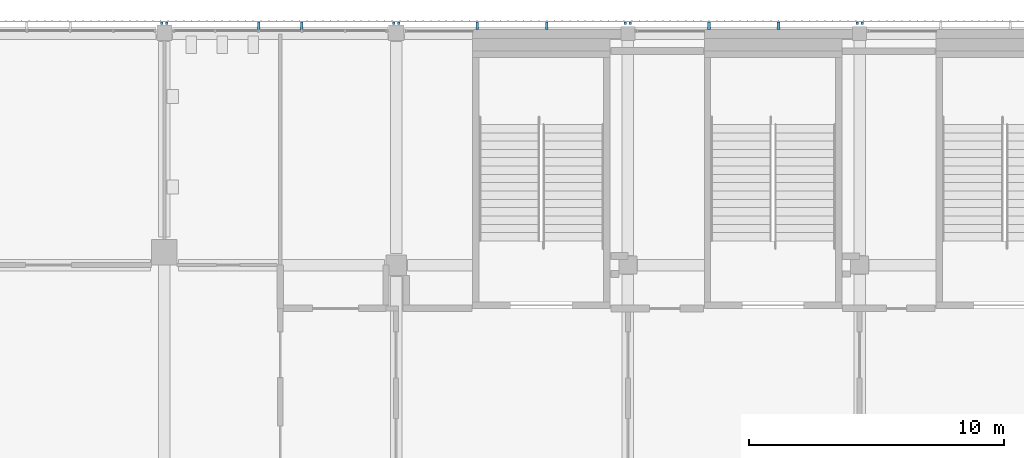
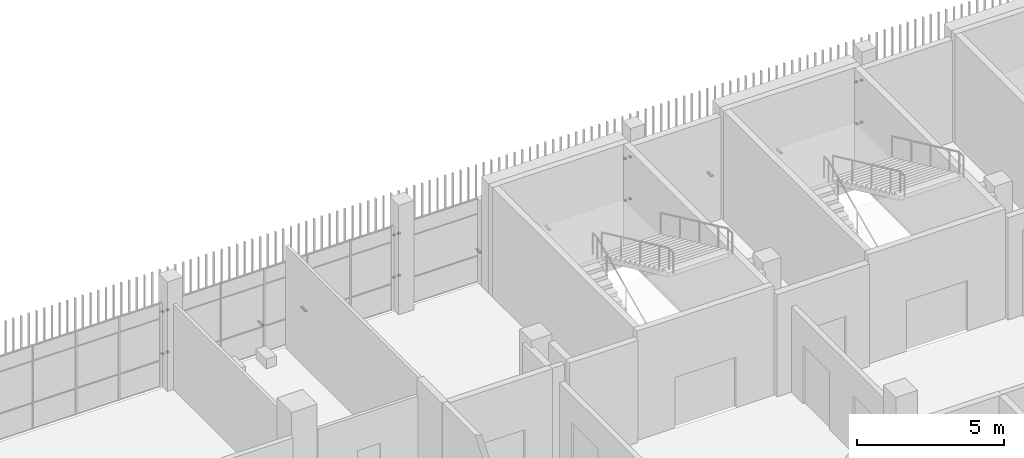
# One storey, part 103 of 126: 22 discrete accessories.
"""IFC4 building model written with IfcOpenShell, lengths in metres."""

from ifc_helpers import new_model, si_unit, direction, frame, origin, origin_2d, place, context, subcontext, project, spatial, rectangle, extrude, material, type_object, element, save


model = new_model("IFC4")

# Units and contexts
model_context = context("Model", 3, precision=1e-05, world=origin(), true_north=direction((0.0, 1.0)))
body_context = subcontext(model_context, "Body", "Model", "MODEL_VIEW")
ifc_project = project(units=[si_unit("LENGTHUNIT", "METRE"), si_unit("AREAUNIT", "SQUARE_METRE"), si_unit("VOLUMEUNIT", "CUBIC_METRE"), si_unit("PLANEANGLEUNIT", "RADIAN"), si_unit("MASSUNIT", "GRAM", prefix="KILO")], contexts=[model_context])

# Site, building, storey
site_placement = place(None, origin())
site = spatial("IfcSite", under=ifc_project, at=site_placement, CompositionType="ELEMENT")
building_placement = place(site_placement, origin())
building = spatial("IfcBuilding", under=site, at=building_placement, Name="Shirokan Park Arena", CompositionType="ELEMENT")
storey_placement = place(building_placement, frame((0.0, 0.0, 6.3701171875)))
storey = spatial("IfcBuildingStorey", under=building, at=storey_placement, Name="L01", CompositionType="ELEMENT", Elevation=6.3701171875)

# Discrete accessories
ifc_material = material(Name="Steel S355", Category="steel")
discrete_accessory_type = type_object("IfcDiscreteAccessoryType", Name="Veil bracket 100x60", PredefinedType="BRACKET", material=ifc_material)
for number, where, z_axis, x_axis, name in (
    (1, (127.5, 109.597412109375, 1.06982421875), (0.0, 0.0, 1.0), (-1.0, 0.0, 0.0), "Veil bracket north bay 2 L01 2"),
    (2, (127.5, 109.597412109375, 2.81982421875), (0.0, 0.0, 1.0), (-1.0, 0.0, 0.0), "Veil bracket north bay 2 L01 4"),
    (3, (127.300048828125, 109.597412109375, 1.06982421875), (0.0, 0.0, 1.0), (-1.0, 0.0, 0.0), "Veil bracket north bay 3 L01 1"),
    (4, (118.39990234375, 109.597412109375, 1.06982421875), (0.0, 0.0, 1.0), (-1.0, 0.0, 0.0), "Veil bracket north bay 3 L01 2"),
    (5, (127.300048828125, 109.597412109375, 2.81982421875), (0.0, 0.0, 1.0), (-1.0, 0.0, 0.0), "Veil bracket north bay 3 L01 3"),
    (6, (118.39990234375, 109.597412109375, 2.81982421875), (0.0, 0.0, 1.0), (-1.0, 0.0, 0.0), "Veil bracket north bay 3 L01 4"),
):
    element("IfcDiscreteAccessory", number, at=place(storey_placement, frame(where, z_axis=z_axis, x_axis=x_axis)), inside=storey, type_object=discrete_accessory_type, Name=name, PredefinedType="BRACKET", context=body_context, shape_type="SweptSolid", body=[
        extrude(rectangle(XDim=0.10009765625, YDim=0.094970703125, at=origin_2d()), origin(), (0.0, 0.0, 1.0), 0.06005859375),
    ])
for number, where, z_axis, x_axis, name in (
    (7, (124.215087890625, 109.49755859375, 1.06982421875), (0.0, 0.0, 1.0), (-1.0, 0.0, 0.0), "Veil bracket north bay 3 L01 wall 1"),
    (8, (121.485107421875, 109.49755859375, 1.06982421875), (0.0, 0.0, 1.0), (-1.0, 0.0, 0.0), "Veil bracket north bay 3 L01 wall 2"),
):
    element("IfcDiscreteAccessory", number, at=place(storey_placement, frame(where, z_axis=z_axis, x_axis=x_axis)), inside=storey, type_object=discrete_accessory_type, Name=name, PredefinedType="BRACKET", context=body_context, shape_type="SweptSolid", body=[
        extrude(rectangle(XDim=0.10009765625, YDim=0.294921875, at=origin_2d()), origin(), (0.0, 0.0, 1.0), 0.06005859375),
    ])
for number, where, z_axis, x_axis, name in (
    (9, (118.199951171875, 109.597412109375, 1.06982421875), (0.0, 0.0, 1.0), (-1.0, 0.0, 0.0), "Veil bracket north bay 4 L01 1"),
    (10, (109.300048828125, 109.597412109375, 1.06982421875), (0.0, 0.0, 1.0), (-1.0, 0.0, 0.0), "Veil bracket north bay 4 L01 2"),
    (11, (118.199951171875, 109.597412109375, 2.81982421875), (0.0, 0.0, 1.0), (-1.0, 0.0, 0.0), "Veil bracket north bay 4 L01 3"),
    (12, (109.300048828125, 109.597412109375, 2.81982421875), (0.0, 0.0, 1.0), (-1.0, 0.0, 0.0), "Veil bracket north bay 4 L01 4"),
):
    element("IfcDiscreteAccessory", number, at=place(storey_placement, frame(where, z_axis=z_axis, x_axis=x_axis)), inside=storey, type_object=discrete_accessory_type, Name=name, PredefinedType="BRACKET", context=body_context, shape_type="SweptSolid", body=[
        extrude(rectangle(XDim=0.10009765625, YDim=0.094970703125, at=origin_2d()), origin(), (0.0, 0.0, 1.0), 0.06005859375),
    ])
for number, where, z_axis, x_axis, name in (
    (13, (115.114990234375, 109.49755859375, 1.06982421875), (0.0, 0.0, 1.0), (-1.0, 0.0, 0.0), "Veil bracket north bay 4 L01 wall 1"),
    (14, (112.385009765625, 109.49755859375, 1.06982421875), (0.0, 0.0, 1.0), (-1.0, 0.0, 0.0), "Veil bracket north bay 4 L01 wall 2"),
):
    element("IfcDiscreteAccessory", number, at=place(storey_placement, frame(where, z_axis=z_axis, x_axis=x_axis)), inside=storey, type_object=discrete_accessory_type, Name=name, PredefinedType="BRACKET", context=body_context, shape_type="SweptSolid", body=[
        extrude(rectangle(XDim=0.10009765625, YDim=0.294921875, at=origin_2d()), origin(), (0.0, 0.0, 1.0), 0.06005859375),
    ])
for number, where, z_axis, x_axis, name in (
    (15, (109.10009765625, 109.597412109375, 1.06982421875), (0.0, 0.0, 1.0), (-1.0, 0.0, 0.0), "Veil bracket north bay 5 L01 1"),
    (16, (100.199951171875, 109.597412109375, 1.06982421875), (0.0, 0.0, 1.0), (-1.0, 0.0, 0.0), "Veil bracket north bay 5 L01 2"),
    (17, (109.10009765625, 109.597412109375, 2.81982421875), (0.0, 0.0, 1.0), (-1.0, 0.0, 0.0), "Veil bracket north bay 5 L01 3"),
    (18, (100.199951171875, 109.597412109375, 2.81982421875), (0.0, 0.0, 1.0), (-1.0, 0.0, 0.0), "Veil bracket north bay 5 L01 4"),
):
    element("IfcDiscreteAccessory", number, at=place(storey_placement, frame(where, z_axis=z_axis, x_axis=x_axis)), inside=storey, type_object=discrete_accessory_type, Name=name, PredefinedType="BRACKET", context=body_context, shape_type="SweptSolid", body=[
        extrude(rectangle(XDim=0.10009765625, YDim=0.094970703125, at=origin_2d()), origin(), (0.0, 0.0, 1.0), 0.06005859375),
    ])
for number, where, z_axis, x_axis, name in (
    (19, (105.5, 109.485107421875, 1.06982421875), (0.0, 0.0, 1.0), (-1.0, 0.0, 0.0), "Veil bracket north bay 5 L01 wall 1"),
    (20, (103.800048828125, 109.485107421875, 1.06982421875), (0.0, 0.0, 1.0), (-1.0, 0.0, 0.0), "Veil bracket north bay 5 L01 wall 2"),
):
    element("IfcDiscreteAccessory", number, at=place(storey_placement, frame(where, z_axis=z_axis, x_axis=x_axis)), inside=storey, type_object=discrete_accessory_type, Name=name, PredefinedType="BRACKET", context=body_context, shape_type="SweptSolid", body=[
        extrude(rectangle(XDim=0.10009765625, YDim=0.320068359375, at=origin_2d()), origin(), (0.0, 0.0, 1.0), 0.06005859375),
    ])
for number, where, z_axis, x_axis, name in (
    (21, (100.0, 109.597412109375, 1.06982421875), (0.0, 0.0, 1.0), (-1.0, 0.0, 0.0), "Veil bracket north bay 6 L01 1"),
    (22, (100.0, 109.597412109375, 2.81982421875), (0.0, 0.0, 1.0), (-1.0, 0.0, 0.0), "Veil bracket north bay 6 L01 3"),
):
    element("IfcDiscreteAccessory", number, at=place(storey_placement, frame(where, z_axis=z_axis, x_axis=x_axis)), inside=storey, type_object=discrete_accessory_type, Name=name, PredefinedType="BRACKET", context=body_context, shape_type="SweptSolid", body=[
        extrude(rectangle(XDim=0.10009765625, YDim=0.094970703125, at=origin_2d()), origin(), (0.0, 0.0, 1.0), 0.06005859375),
    ])

save(model, "model.ifc")
